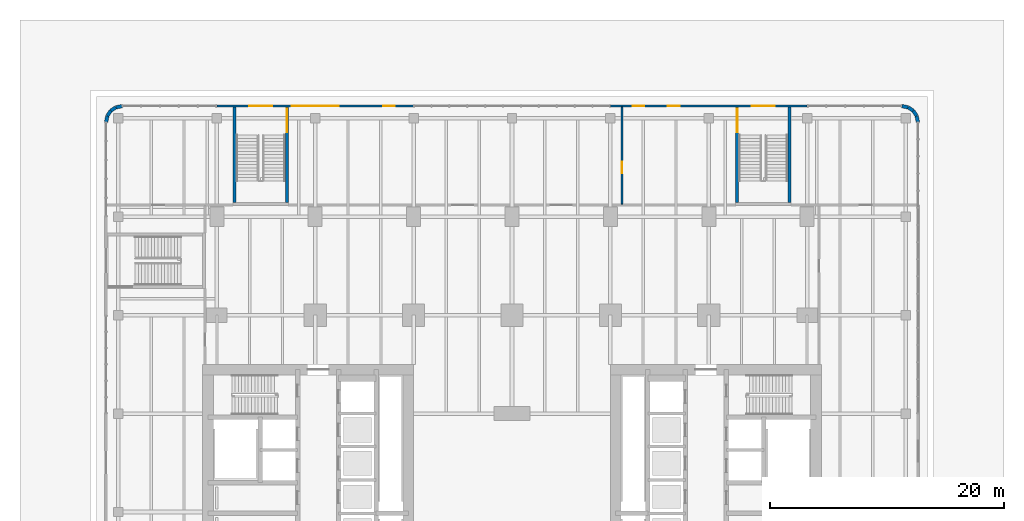
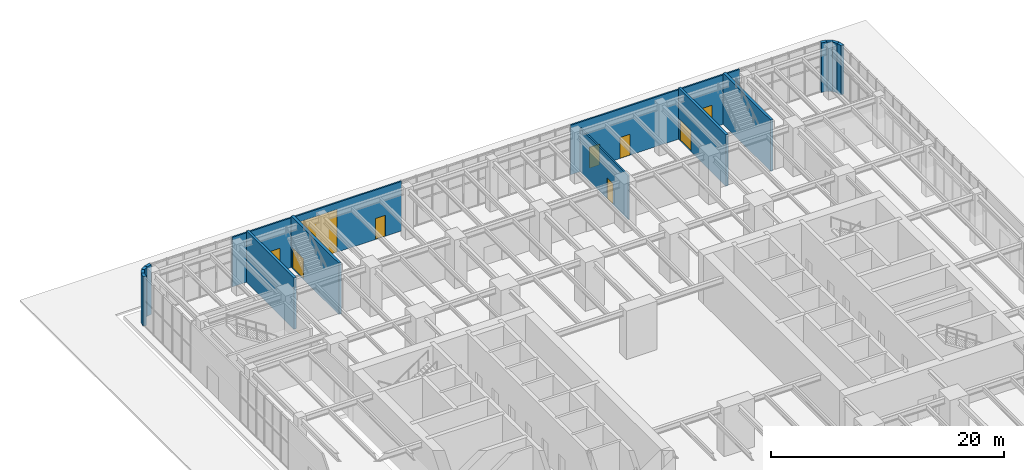
# One storey, part 22 of 31: 15 walls, 9 doors, 9 openings.
"""IFC4 building model written with IfcOpenShell, lengths in metres."""

import ifcopenshell
import ifcopenshell.guid

model = None  # the IFC model being written
_history = None  # IfcOwnerHistory: only IFC2X3 demands one
_inside = {}  # id of a spatial element -> (the spatial element, [elements in it])
_under = {}  # id of a project, library or spatial element -> (it, [spatial elements below it])
_declared = {}  # id of a project -> (the project, [libraries it declares])
_typed = {}  # id of a type object -> (the type object, [elements of that type])
_made_of = {}  # id of a material, layer set ... -> (it, [elements and type objects made of it])


def new_model(schema):
    """Start an empty IFC model of exactly this schema.

    Asked for "IFC4X3", IfcOpenShell would pick the latest addendum, in which some entities
    have other attributes; the version numbers below select the first issue.
    IFC2X3 requires an IfcOwnerHistory on every rooted entity: one is made here for all.
    """
    global model, _history
    if schema == "IFC4X3":
        model = ifcopenshell.file(schema_version=(4, 3, 0, 0))
    else:
        model = ifcopenshell.file(schema=schema)
    _inside.clear()
    _under.clear()
    _declared.clear()
    _typed.clear()
    _made_of.clear()
    _history = None
    if model.schema == "IFC2X3":
        org = make("IfcOrganization", Name="unknown")
        user = make(
            "IfcPersonAndOrganization",
            ThePerson=make("IfcPerson", FamilyName="unknown"),
            TheOrganization=org,
        )
        app = make(
            "IfcApplication",
            ApplicationDeveloper=org,
            Version="unknown",
            ApplicationFullName="unknown",
            ApplicationIdentifier="unknown",
        )
        _history = make(
            "IfcOwnerHistory",
            OwningUser=user,
            OwningApplication=app,
            ChangeAction="ADDED",
            CreationDate=0,
        )
    return model


def make(cls, **values):
    """One entity of the class cls with the attributes given. An attribute that is None is left unset."""
    return model.create_entity(
        cls, **{name: value for name, value in values.items() if value is not None}
    )


def rooted(cls, **values):
    """An entity with a GlobalId (a new one), such as an element, a storey or a relation."""
    return make(cls, GlobalId=ifcopenshell.guid.new(), OwnerHistory=_history, **values)


def si_unit(unit_type, name, prefix=None):
    """IfcSIUnit, for example si_unit("LENGTHUNIT", "METRE", prefix="MILLI")."""
    return make("IfcSIUnit", UnitType=unit_type, Prefix=prefix, Name=name)


def assignment(units):
    """IfcUnitAssignment: the units of a project."""
    return None if units is None else make("IfcUnitAssignment", Units=units)


def point(xyz):
    """IfcCartesianPoint."""
    return None if xyz is None else make("IfcCartesianPoint", Coordinates=xyz)


def direction(xyz):
    """IfcDirection."""
    return None if xyz is None else make("IfcDirection", DirectionRatios=xyz)


def frame(location, z_axis=None, x_axis=None):
    """IfcAxis2Placement3D, a coordinate frame: its origin and axes. An axis left out is left unset."""
    return make(
        "IfcAxis2Placement3D",
        Location=point(location),
        Axis=direction(z_axis),
        RefDirection=direction(x_axis),
    )


def frame_2d(location, x_axis=None):
    """IfcAxis2Placement2D, a coordinate frame in the plane: its origin and x axis."""
    return make(
        "IfcAxis2Placement2D", Location=point(location), RefDirection=direction(x_axis)
    )


def origin():
    """The frame at (0, 0, 0) with its axes left unset."""
    return frame((0.0, 0.0, 0.0))


def place(relative_to, where):
    """IfcLocalPlacement: puts the frame where relative to a parent placement (None: the world)."""
    return make(
        "IfcLocalPlacement", PlacementRelTo=relative_to, RelativePlacement=where
    )


def context(
    kind, dimensions, precision=None, world=None, true_north=None, identifier=None
):
    """IfcGeometricRepresentationContext, for example the 3D "Model" context."""
    return make(
        "IfcGeometricRepresentationContext",
        ContextIdentifier=identifier,
        ContextType=kind,
        CoordinateSpaceDimension=dimensions,
        Precision=precision,
        WorldCoordinateSystem=world,
        TrueNorth=true_north,
    )


def subcontext(parent, identifier, kind, view, scale=None):
    """IfcGeometricRepresentationSubContext, for example "Body" below "Model"."""
    return make(
        "IfcGeometricRepresentationSubContext",
        ContextIdentifier=identifier,
        ContextType=kind,
        ParentContext=parent,
        TargetScale=scale,
        TargetView=view,
    )


def project(units=None, contexts=None):
    """IfcProject with its units and contexts."""
    return rooted(
        "IfcProject",
        Name="project",
        RepresentationContexts=contexts,
        UnitsInContext=assignment(units),
    )


def spatial(cls, under=None, at=None, **own):
    """A site, building, storey or space (cls), placed at a placement, below another one or the project."""
    s = rooted(cls, ObjectPlacement=at, **own)
    if under is not None:
        _under.setdefault(under.id(), (under, []))[1].append(s)
    return s


def profile(cls, at=None, kind="AREA", **sizes):
    """A parametric profile (cls). Its sizes go by their IFC names, for example OverallWidth=200.0."""
    return make(cls, ProfileType=kind, Position=at, **sizes)


def rectangle(**sizes):
    """IfcRectangleProfileDef."""
    return profile("IfcRectangleProfileDef", **sizes)


def extrude(swept, where, along, depth):
    """IfcExtrudedAreaSolid: the profile swept, set in the frame where, extruded along a direction by depth."""
    return make(
        "IfcExtrudedAreaSolid",
        SweptArea=swept,
        Position=where,
        ExtrudedDirection=direction(along),
        Depth=depth,
    )


def shape(context_of_items, identifier, shape_type, items):
    """IfcShapeRepresentation: the items that make up one representation, for example the "Body"."""
    return make(
        "IfcShapeRepresentation",
        ContextOfItems=context_of_items,
        RepresentationIdentifier=identifier,
        RepresentationType=shape_type,
        Items=items,
    )


def material(Name=None, Category=None):
    """IfcMaterial."""
    return make("IfcMaterial", Name=Name, Category=Category)


def layer(
    of_material, thickness, ventilated=None, Name=None, Category=None, Priority=None
):
    """IfcMaterialLayer: one layer of a wall or slab, of a material (None: an air gap)."""
    return make(
        "IfcMaterialLayer",
        Material=of_material,
        LayerThickness=thickness,
        IsVentilated=ventilated,
        Name=Name,
        Category=Category,
        Priority=Priority,
    )


def layer_set(layers, Name=None):
    """IfcMaterialLayerSet."""
    return make("IfcMaterialLayerSet", MaterialLayers=layers, LayerSetName=Name)


def made_of(thing, what):
    """Note that an element or type object is made of a material, layer set ...; save() writes the relation."""
    if what is not None:
        _made_of.setdefault(what.id(), (what, []))[1].append(thing)
    return thing


def type_object(cls, material=None, **own):
    """A type object (cls), such as IfcWallType, which elements share."""
    return made_of(rooted(cls, **own), material)


def element(
    cls,
    number,
    at=None,
    inside=None,
    cuts=None,
    type_object=None,
    material=None,
    context=None,
    identifier="Body",
    shape_type=None,
    held_by="IfcProductDefinitionShape",
    body=None,
    shapes=None,
    **own,
):
    """One element of the class cls, such as IfcWall. Its Tag is "e" and its number.

    at: its placement. inside: the storey or other place that contains it. cuts: it is an
    opening in that element (IfcRelVoidsElement). A single representation is given by context,
    identifier, shape_type and body (its items); several are given by shapes. held_by: the class
    of the entity that holds the representations. save() writes the other relations.
    """
    e = rooted(cls, Tag="e%d" % number, ObjectPlacement=at, **own)
    if body is not None:
        shapes = [shape(context, identifier, shape_type, body)]
    if shapes is not None:
        e.Representation = make(held_by, Representations=shapes)
    if inside is not None:
        _inside.setdefault(inside.id(), (inside, []))[1].append(e)
    if cuts is not None:
        rooted(
            "IfcRelVoidsElement", RelatingBuildingElement=cuts, RelatedOpeningElement=e
        )
    if type_object is not None:
        _typed.setdefault(type_object.id(), (type_object, []))[1].append(e)
    return made_of(e, material)


def fill(opening, filler):
    """IfcRelFillsElement: the door or window that sits in an opening."""
    return rooted(
        "IfcRelFillsElement",
        RelatingOpeningElement=opening,
        RelatedBuildingElement=filler,
    )


def aggregate(whole, parts):
    """IfcRelAggregates: a whole, such as a stair, and the parts it consists of."""
    return rooted("IfcRelAggregates", RelatingObject=whole, RelatedObjects=parts)


def save(model, path):
    """Write the relations noted so far, then the file.

    IfcRelAggregates (storeys below a building ...), IfcRelContainedInSpatialStructure (elements
    in a storey), IfcRelDefinesByType, IfcRelAssociatesMaterial and IfcRelDeclares: one each for
    every whole, place, type object, material and project.
    """
    for whole, parts in _under.values():
        aggregate(whole, parts)
    for where, things in _inside.values():
        rooted(
            "IfcRelContainedInSpatialStructure",
            RelatedElements=things,
            RelatingStructure=where,
        )
    for kind, things in _typed.values():
        rooted("IfcRelDefinesByType", RelatedObjects=things, RelatingType=kind)
    for what, things in _made_of.values():
        rooted("IfcRelAssociatesMaterial", RelatedObjects=things, RelatingMaterial=what)
    for by, libraries in _declared.values():
        rooted("IfcRelDeclares", RelatingContext=by, RelatedDefinitions=libraries)
    model.write(path)


model = new_model("IFC4")

# Units and contexts
model_context = context("Model", 3, precision=1e-05, world=origin(), true_north=direction((0.0, 1.0)))
body_context = subcontext(model_context, "Body", "Model", "MODEL_VIEW")
ifc_project = project(units=[si_unit("LENGTHUNIT", "METRE"), si_unit("AREAUNIT", "SQUARE_METRE"), si_unit("VOLUMEUNIT", "CUBIC_METRE"), si_unit("PLANEANGLEUNIT", "RADIAN"), si_unit("MASSUNIT", "GRAM", prefix="KILO")], contexts=[model_context])

# Site, building, storey
site_placement = place(None, origin())
site = spatial("IfcSite", under=ifc_project, at=site_placement, CompositionType="ELEMENT")
building_placement = place(site_placement, origin())
building = spatial("IfcBuilding", under=site, at=building_placement, Name="Claustro Exchange Tower", CompositionType="ELEMENT")
storey_placement = place(building_placement, origin())
storey = spatial("IfcBuildingStorey", under=building, at=storey_placement, Name="L00", CompositionType="ELEMENT", Elevation=0.0)

# Wall, openings, doors
ifc_material_1 = material(Name="Aluminium frame, clear double glazing", Category="aluminium")
ifc_layer_1 = layer(ifc_material_1, 0.14990234375)
ifc_layer_set_1 = layer_set([ifc_layer_1], Name="Aluminium frame, clear double glazing")
wall_type_1 = type_object("IfcWallType", Name="GS1 150 glazed entrance screen", PredefinedType="SOLIDWALL", material=ifc_layer_set_1)
wall_1_placement = place(storey_placement, frame((0.0, 59.85009765625, 0.0), z_axis=(0.0, 0.0, 1.0), x_axis=(1.0, 0.0, 0.0)))
wall_1 = element("IfcWall", 1, at=wall_1_placement, inside=storey, type_object=wall_type_1, Name="Entrance screen GS1 L00", PredefinedType="SOLIDWALL", context=body_context, shape_type="SweptSolid", body=[
    extrude(rectangle(XDim=16.800048828125, YDim=0.14990234375, at=frame_2d((8.39990234375, 0.0))), origin(), (0.0, 0.0, 1.0), 5.199951171875),
])
opening_1_placement = place(wall_1_placement, frame((2.75, 0.0, 0.0)))
opening_1 = element("IfcOpeningElement", 2, at=opening_1_placement, cuts=wall_1, Name="Opening DE5", PredefinedType="OPENING", context=body_context, shape_type="SweptSolid", body=[
    extrude(rectangle(XDim=2.0, YDim=2.39990234375, at=frame_2d((1.0, 1.199951171875))), frame((0.0, 0.0849609375, 0.0), z_axis=(0.0, -1.0, 0.0), x_axis=(1.0, 0.0, 0.0)), (0.0, 0.0, 1.0), 0.169921875),
])
opening_2_placement = place(wall_1_placement, frame((6.39990234375, 0.0, 0.0)))
opening_2 = element("IfcOpeningElement", 3, at=opening_2_placement, cuts=wall_1, Name="Opening DE3", PredefinedType="OPENING", context=body_context, shape_type="SweptSolid", body=[
    extrude(rectangle(XDim=4.0, YDim=4.5, at=frame_2d((2.0, 2.25))), frame((0.0, 0.0849609375, 0.0), z_axis=(0.0, -1.0, 0.0), x_axis=(1.0, 0.0, 0.0)), (0.0, 0.0, 1.0), 0.169921875),
])
opening_3_placement = place(wall_1_placement, frame((14.199951171875, 0.0, 0.0)))
opening_3 = element("IfcOpeningElement", 4, at=opening_3_placement, cuts=wall_1, Name="Opening DE2", PredefinedType="OPENING", context=body_context, shape_type="SweptSolid", body=[
    extrude(rectangle(XDim=1.0, YDim=2.199951171875, at=frame_2d((0.5, 1.10009765625))), frame((0.0, 0.0849609375, 0.0), z_axis=(0.0, -1.0, 0.0), x_axis=(1.0, 0.0, 0.0)), (0.0, 0.0, 1.0), 0.169921875),
])
ifc_material_2 = material(Name="Steel door, painted", Category="steel")
door_type_1 = type_object("IfcDoorType", Name="DE2 1000 x 2200 external single door", OperationType="SINGLE_SWING_LEFT", PredefinedType="DOOR", material=ifc_material_2)
door_1_placement = place(opening_3_placement, origin())
door_1 = element("IfcDoor", 5, at=door_1_placement, inside=storey, type_object=door_type_1, Name="External door DE2 L00", OperationType="SINGLE_SWING_RIGHT", OverallHeight=2.199951171875, OverallWidth=1.0, PredefinedType="DOOR", context=body_context, shape_type="SweptSolid", body=[
    extrude(rectangle(XDim=1.0, YDim=2.199951171875, at=frame_2d((0.5, 1.10009765625))), frame((0.0, 0.02490234375, 0.0), z_axis=(0.0, -1.0, 0.0), x_axis=(1.0, 0.0, 0.0)), (0.0, 0.0, 1.0), 0.050048828125),
])
fill(opening_3, door_1)
ifc_material_3 = material(Name="Steel roller shutter", Category="steel")
door_type_2 = type_object("IfcDoorType", Name="DE3 4000 x 4500 loading bay shutter", OperationType="ROLLINGUP", PredefinedType="GATE", material=ifc_material_3)
door_2_placement = place(opening_2_placement, origin())
door_2 = element("IfcDoor", 6, at=door_2_placement, inside=storey, type_object=door_type_2, Name="External door DE3 L00", OperationType="ROLLINGUP", OverallHeight=4.5, OverallWidth=4.0, PredefinedType="GATE", context=body_context, shape_type="SweptSolid", body=[
    extrude(rectangle(XDim=4.0, YDim=4.5, at=frame_2d((2.0, 2.25))), frame((0.0, 0.02490234375, 0.0), z_axis=(0.0, -1.0, 0.0), x_axis=(1.0, 0.0, 0.0)), (0.0, 0.0, 1.0), 0.050048828125),
])
fill(opening_2, door_2)
ifc_material_4 = material(Name="Steel door, painted", Category="steel")
door_type_3 = type_object("IfcDoorType", Name="DE5 2000 x 2400 external final exit double door", OperationType="DOUBLE_DOOR_SINGLE_SWING", PredefinedType="DOOR", material=ifc_material_4)
door_3_placement = place(opening_1_placement, origin())
door_3 = element("IfcDoor", 7, at=door_3_placement, inside=storey, type_object=door_type_3, Name="External door DE5 L00", OperationType="DOUBLE_DOOR_SINGLE_SWING", OverallHeight=2.39990234375, OverallWidth=2.0, PredefinedType="DOOR", context=body_context, shape_type="SweptSolid", body=[
    extrude(rectangle(XDim=2.0, YDim=2.39990234375, at=frame_2d((1.0, 1.199951171875))), frame((0.0, 0.02490234375, 0.0), z_axis=(0.0, -1.0, 0.0), x_axis=(1.0, 0.0, 0.0)), (0.0, 0.0, 1.0), 0.050048828125),
])
fill(opening_1, door_3)

wall_2_placement = place(storey_placement, frame((33.60009765625, 59.85009765625, 0.0), z_axis=(0.0, 0.0, 1.0), x_axis=(1.0, 0.0, 0.0)))
wall_2 = element("IfcWall", 8, at=wall_2_placement, inside=storey, type_object=wall_type_1, Name="Entrance screen GS1 L00", PredefinedType="SOLIDWALL", context=body_context, shape_type="SweptSolid", body=[
    extrude(rectangle(XDim=16.7998046875, YDim=0.14990234375, at=frame_2d((8.39990234375, 0.0))), origin(), (0.0, 0.0, 1.0), 5.199951171875),
])
opening_4_placement = place(wall_2_placement, frame((4.89990234375, 0.0, 0.0)))
opening_4 = element("IfcOpeningElement", 9, at=opening_4_placement, cuts=wall_2, Name="Opening DE2", PredefinedType="OPENING", context=body_context, shape_type="SweptSolid", body=[
    extrude(rectangle(XDim=1.0, YDim=2.199951171875, at=frame_2d((0.5, 1.10009765625))), frame((0.0, 0.0849609375, 0.0), z_axis=(0.0, -1.0, 0.0), x_axis=(1.0, 0.0, 0.0)), (0.0, 0.0, 1.0), 0.169921875),
])
opening_5_placement = place(wall_2_placement, frame((1.89990234375, 0.0, 0.0)))
opening_5 = element("IfcOpeningElement", 10, at=opening_5_placement, cuts=wall_2, Name="Opening DE2", PredefinedType="OPENING", context=body_context, shape_type="SweptSolid", body=[
    extrude(rectangle(XDim=1.0, YDim=2.199951171875, at=frame_2d((0.5, 1.10009765625))), frame((0.0, 0.0849609375, 0.0), z_axis=(0.0, -1.0, 0.0), x_axis=(1.0, 0.0, 0.0)), (0.0, 0.0, 1.0), 0.169921875),
])
opening_6_placement = place(wall_2_placement, frame((12.050048828125, 0.0, 0.0)))
opening_6 = element("IfcOpeningElement", 11, at=opening_6_placement, cuts=wall_2, Name="Opening DE5", PredefinedType="OPENING", context=body_context, shape_type="SweptSolid", body=[
    extrude(rectangle(XDim=2.0, YDim=2.39990234375, at=frame_2d((1.0, 1.199951171875))), frame((0.0, 0.0849609375, 0.0), z_axis=(0.0, -1.0, 0.0), x_axis=(1.0, 0.0, 0.0)), (0.0, 0.0, 1.0), 0.169921875),
])
door_4_placement = place(opening_4_placement, origin())
door_4 = element("IfcDoor", 12, at=door_4_placement, inside=storey, type_object=door_type_1, Name="External door DE2 L00", OperationType="SINGLE_SWING_LEFT", OverallHeight=2.199951171875, OverallWidth=1.0, PredefinedType="DOOR", context=body_context, shape_type="SweptSolid", body=[
    extrude(rectangle(XDim=1.0, YDim=2.199951171875, at=frame_2d((0.5, 1.10009765625))), frame((0.0, 0.02490234375, 0.0), z_axis=(0.0, -1.0, 0.0), x_axis=(1.0, 0.0, 0.0)), (0.0, 0.0, 1.0), 0.050048828125),
])
fill(opening_4, door_4)
door_5_placement = place(opening_5_placement, origin())
door_5 = element("IfcDoor", 13, at=door_5_placement, inside=storey, type_object=door_type_1, Name="External door DE2 L00", OperationType="SINGLE_SWING_LEFT", OverallHeight=2.199951171875, OverallWidth=1.0, PredefinedType="DOOR", context=body_context, shape_type="SweptSolid", body=[
    extrude(rectangle(XDim=1.0, YDim=2.199951171875, at=frame_2d((0.5, 1.10009765625))), frame((0.0, 0.02490234375, 0.0), z_axis=(0.0, -1.0, 0.0), x_axis=(1.0, 0.0, 0.0)), (0.0, 0.0, 1.0), 0.050048828125),
])
fill(opening_5, door_5)
door_6_placement = place(opening_6_placement, origin())
door_6 = element("IfcDoor", 14, at=door_6_placement, inside=storey, type_object=door_type_3, Name="External door DE5 L00", OperationType="DOUBLE_DOOR_SINGLE_SWING", OverallHeight=2.39990234375, OverallWidth=2.0, PredefinedType="DOOR", context=body_context, shape_type="SweptSolid", body=[
    extrude(rectangle(XDim=2.0, YDim=2.39990234375, at=frame_2d((1.0, 1.199951171875))), frame((0.0, 0.02490234375, 0.0), z_axis=(0.0, -1.0, 0.0), x_axis=(1.0, 0.0, 0.0)), (0.0, 0.0, 1.0), 0.050048828125),
])
fill(opening_6, door_6)

# Wall, opening, door
ifc_material_5 = material(Name="Gypsum board on steel studs", Category="steel")
ifc_layer_2 = layer(ifc_material_5, 0.14990234375)
ifc_layer_set_2 = layer_set([ifc_layer_2], Name="Gypsum board on steel studs")
wall_type_2 = type_object("IfcWallType", Name="P1 150 plasterboard partition", PredefinedType="PARTITIONING", material=ifc_layer_set_2)
wall_3_placement = place(storey_placement, frame((34.60009765625, 51.47412109375, 0.0), z_axis=(0.0, 0.0, 1.0), x_axis=(0.0, 1.0, 0.0)))
wall_3 = element("IfcWall", 15, at=wall_3_placement, inside=storey, type_object=wall_type_2, Name="Partition P1 L00", PredefinedType="PARTITIONING", context=body_context, shape_type="SweptSolid", body=[
    extrude(rectangle(XDim=8.3017578125, YDim=0.14990234375, at=frame_2d((4.15087890625, 0.0))), origin(), (0.0, 0.0, 1.0), 4.60009765625),
])
opening_7_placement = place(wall_3_placement, frame((2.6259765625, 0.0, 0.0)))
opening_7 = element("IfcOpeningElement", 16, at=opening_7_placement, cuts=wall_3, Name="Opening D1", PredefinedType="OPENING", context=body_context, shape_type="SweptSolid", body=[
    extrude(rectangle(XDim=1.0, YDim=2.199951171875, at=frame_2d((0.5, 1.10009765625))), frame((0.0, 0.0849609375, 0.0), z_axis=(0.0, -1.0, 0.0), x_axis=(1.0, 0.0, 0.0)), (0.0, 0.0, 1.0), 0.169921875),
])
ifc_material_6 = material(Name="Timber door, oak veneer", Category="wood")
door_type_4 = type_object("IfcDoorType", Name="D1 1000 x 2200 single door", OperationType="SINGLE_SWING_LEFT", PredefinedType="DOOR", material=ifc_material_6)
door_7_placement = place(opening_7_placement, frame((1.0, 0.0, 0.0), z_axis=(0.0, 0.0, 1.0), x_axis=(-1.0, 0.0, 0.0)))
door_7 = element("IfcDoor", 17, at=door_7_placement, inside=storey, type_object=door_type_4, Name="Door D1 L00", OperationType="SINGLE_SWING_RIGHT", OverallHeight=2.199951171875, OverallWidth=1.0, PredefinedType="DOOR", context=body_context, shape_type="SweptSolid", body=[
    extrude(rectangle(XDim=1.0, YDim=2.199951171875, at=frame_2d((0.5, 1.10009765625))), frame((0.0, 0.02490234375, 0.0), z_axis=(0.0, -1.0, 0.0), x_axis=(1.0, 0.0, 0.0)), (0.0, 0.0, 1.0), 0.050048828125),
])
fill(opening_7, door_7)

# Walls
ifc_material_7 = material(Name="Concrete HA-40 (C40/50), precast, white cement, acid-etched", Category="concrete")
ifc_layer_3 = layer(ifc_material_7, 0.300048828125)
ifc_layer_set_3 = layer_set([ifc_layer_3], Name="Concrete HA-40 (C40/50), precast, white cement, acid-etched")
wall_type_3 = type_object("IfcWallType", Name="PC1 300 precast concrete pier panel", PredefinedType="SOLIDWALL", material=ifc_layer_set_3)
wall_4_placement = place(storey_placement, frame((-9.449951171875, 58.485107421875, 0.0), z_axis=(0.0, 0.0, 1.0), x_axis=(0.195073962632, 0.980788534345, 0.0)))
element("IfcWall", 18, at=wall_4_placement, inside=storey, type_object=wall_type_3, Name="Precast pier panel PC1 L00", PredefinedType="SOLIDWALL", context=body_context, shape_type="SweptSolid", body=[
    extrude(rectangle(XDim=0.540771484375, YDim=0.300048828125, at=frame_2d((0.2705078125, 0.0))), origin(), (0.0, 0.0, 1.0), 5.199951171875),
])
wall_5_placement = place(storey_placement, frame((-9.344482421875, 59.015380859375, 0.0), z_axis=(0.0, 0.0, 1.0), x_axis=(0.55534295404, 0.831621430339, 0.0)))
element("IfcWall", 19, at=wall_5_placement, inside=storey, type_object=wall_type_3, Name="Precast pier panel PC1 L00", PredefinedType="SOLIDWALL", context=body_context, shape_type="SweptSolid", body=[
    extrude(rectangle(XDim=0.52587890625, YDim=0.300048828125, at=frame_2d((0.262939453125, 0.0))), origin(), (0.0, 0.0, 1.0), 5.199951171875),
])
wall_6_placement = place(storey_placement, frame((-9.052490234375, 59.45263671875, 0.0), z_axis=(0.0, 0.0, 1.0), x_axis=(0.831692711774, 0.555236195849, 0.0)))
element("IfcWall", 20, at=wall_6_placement, inside=storey, type_object=wall_type_3, Name="Precast pier panel PC1 L00", PredefinedType="SOLIDWALL", context=body_context, shape_type="SweptSolid", body=[
    extrude(rectangle(XDim=0.525390625, YDim=0.300048828125, at=frame_2d((0.2626953125, 0.0))), origin(), (0.0, 0.0, 1.0), 5.199951171875),
])
for number, where, z_axis, x_axis, name in (
    (21, (-8.615478515625, 59.744384765625, 0.0), (0.0, 0.0, 1.0), (0.980702050465, 0.1955082817, 0.0), "Precast pier panel PC1 L00"),
    (22, (58.485107421875, 59.85009765625, 0.0), (0.0, 0.0, 1.0), (0.980702050465, -0.1955082817, 0.0), "Precast pier panel PC1 L00"),
):
    element("IfcWall", number, at=place(storey_placement, frame(where, z_axis=z_axis, x_axis=x_axis)), inside=storey, type_object=wall_type_3, Name=name, PredefinedType="SOLIDWALL", context=body_context, shape_type="SweptSolid", body=[
        extrude(rectangle(XDim=0.540771484375, YDim=0.300048828125, at=frame_2d((0.2705078125, 0.0))), origin(), (0.0, 0.0, 1.0), 5.199951171875),
    ])
for number, where, z_axis, x_axis, name in (
    (23, (59.015380859375, 59.744384765625, 0.0), (0.0, 0.0, 1.0), (0.831835869144, -0.555021699401, 0.0), "Precast pier panel PC1 L00"),
    (24, (59.45263671875, 59.45263671875, 0.0), (0.0, 0.0, 1.0), (0.555021699401, -0.831835869144, 0.0), "Precast pier panel PC1 L00"),
):
    element("IfcWall", number, at=place(storey_placement, frame(where, z_axis=z_axis, x_axis=x_axis)), inside=storey, type_object=wall_type_3, Name=name, PredefinedType="SOLIDWALL", context=body_context, shape_type="SweptSolid", body=[
        extrude(rectangle(XDim=0.525634765625, YDim=0.300048828125, at=frame_2d((0.2626953125, 0.0))), origin(), (0.0, 0.0, 1.0), 5.199951171875),
    ])
wall_7_placement = place(storey_placement, frame((59.744384765625, 59.015380859375, 0.0), z_axis=(0.0, 0.0, 1.0), x_axis=(0.1955082817, -0.980702050465, 0.0)))
element("IfcWall", 25, at=wall_7_placement, inside=storey, type_object=wall_type_3, Name="Precast pier panel PC1 L00", PredefinedType="SOLIDWALL", context=body_context, shape_type="SweptSolid", body=[
    extrude(rectangle(XDim=0.540771484375, YDim=0.300048828125, at=frame_2d((0.2705078125, 0.0))), origin(), (0.0, 0.0, 1.0), 5.199951171875),
])
ifc_material_8 = material(Name="Concrete HA-40 (C40/50)", Category="concrete")
ifc_layer_4 = layer(ifc_material_8, 0.25)
ifc_layer_set_4 = layer_set([ifc_layer_4], Name="Concrete HA-40 (C40/50)")
wall_type_4 = type_object("IfcWallType", Name="SW7 250 reinforced concrete stair wall", PredefinedType="SOLIDWALL", material=ifc_layer_set_4)
wall_8_placement = place(storey_placement, frame((1.52490234375, 59.77587890625, 0.0), z_axis=(0.0, 0.0, 1.0), x_axis=(0.0, -1.0, 0.0)))
element("IfcWall", 26, at=wall_8_placement, inside=storey, type_object=wall_type_4, Name="Stair enclosure wall STP3 SW7 L00", PredefinedType="SOLIDWALL", context=body_context, shape_type="SweptSolid", body=[
    extrude(rectangle(XDim=8.17578125, YDim=0.25, at=frame_2d((4.087890625, 0.0))), origin(), (0.0, 0.0, 1.0), 5.39990234375),
])

# Wall, opening, door
wall_9_placement = place(storey_placement, frame((5.97509765625, 59.77587890625, 0.0), z_axis=(0.0, 0.0, 1.0), x_axis=(0.0, -1.0, 0.0)))
wall_9 = element("IfcWall", 27, at=wall_9_placement, inside=storey, type_object=wall_type_4, Name="Stair enclosure wall STP3 SW7 L00", PredefinedType="SOLIDWALL", context=body_context, shape_type="SweptSolid", body=[
    extrude(rectangle(XDim=8.17578125, YDim=0.25, at=frame_2d((4.087890625, 0.0))), origin(), (0.0, 0.0, 1.0), 5.39990234375),
])
opening_8_placement = place(wall_9_placement, frame((0.14990234375, 0.0, 0.0)))
opening_8 = element("IfcOpeningElement", 28, at=opening_8_placement, cuts=wall_9, Name="Opening D11", PredefinedType="OPENING", context=body_context, shape_type="SweptSolid", body=[
    extrude(rectangle(XDim=2.0, YDim=2.199951171875, at=frame_2d((1.0, 1.10009765625))), frame((0.0, 0.135009765625, 0.0), z_axis=(0.0, -1.0, 0.0), x_axis=(1.0, 0.0, 0.0)), (0.0, 0.0, 1.0), 0.27001953125),
])
ifc_material_9 = material(Name="Steel fire door, painted", Category="steel")
door_type_5 = type_object("IfcDoorType", Name="D11 2000 x 2200 fire-rated stair double door", OperationType="DOUBLE_DOOR_SINGLE_SWING", PredefinedType="DOOR", material=ifc_material_9)
door_8_placement = place(opening_8_placement, origin())
door_8 = element("IfcDoor", 29, at=door_8_placement, inside=storey, type_object=door_type_5, Name="Stair door STP3 D11 L00", OperationType="DOUBLE_DOOR_SINGLE_SWING", OverallHeight=2.199951171875, OverallWidth=2.0, PredefinedType="DOOR", context=body_context, shape_type="SweptSolid", body=[
    extrude(rectangle(XDim=2.0, YDim=2.199951171875, at=frame_2d((1.0, 1.10009765625))), frame((0.0, 0.02490234375, 0.0), z_axis=(0.0, -1.0, 0.0), x_axis=(1.0, 0.0, 0.0)), (0.0, 0.0, 1.0), 0.050048828125),
])
fill(opening_8, door_8)

wall_10_placement = place(storey_placement, frame((44.425048828125, 59.77587890625, 0.0), z_axis=(0.0, 0.0, 1.0), x_axis=(0.0, -1.0, 0.0)))
wall_10 = element("IfcWall", 30, at=wall_10_placement, inside=storey, type_object=wall_type_4, Name="Stair enclosure wall STP4 SW7 L00", PredefinedType="SOLIDWALL", context=body_context, shape_type="SweptSolid", body=[
    extrude(rectangle(XDim=8.17578125, YDim=0.25, at=frame_2d((4.087890625, 0.0))), origin(), (0.0, 0.0, 1.0), 5.39990234375),
])
opening_9_placement = place(wall_10_placement, frame((0.14990234375, 0.0, 0.0)))
opening_9 = element("IfcOpeningElement", 31, at=opening_9_placement, cuts=wall_10, Name="Opening D11", PredefinedType="OPENING", context=body_context, shape_type="SweptSolid", body=[
    extrude(rectangle(XDim=2.0, YDim=2.199951171875, at=frame_2d((1.0, 1.10009765625))), frame((0.0, 0.135009765625, 0.0), z_axis=(0.0, -1.0, 0.0), x_axis=(1.0, 0.0, 0.0)), (0.0, 0.0, 1.0), 0.27001953125),
])
door_9_placement = place(opening_9_placement, frame((2.0, 0.0, 0.0), z_axis=(0.0, 0.0, 1.0), x_axis=(-1.0, 0.0, 0.0)))
door_9 = element("IfcDoor", 32, at=door_9_placement, inside=storey, type_object=door_type_5, Name="Stair door STP4 D11 L00", OperationType="DOUBLE_DOOR_SINGLE_SWING", OverallHeight=2.199951171875, OverallWidth=2.0, PredefinedType="DOOR", context=body_context, shape_type="SweptSolid", body=[
    extrude(rectangle(XDim=2.0, YDim=2.199951171875, at=frame_2d((1.0, 1.10009765625))), frame((0.0, 0.02490234375, 0.0), z_axis=(0.0, -1.0, 0.0), x_axis=(1.0, 0.0, 0.0)), (0.0, 0.0, 1.0), 0.050048828125),
])
fill(opening_9, door_9)

# Wall
wall_11_placement = place(storey_placement, frame((48.875, 59.77587890625, 0.0), z_axis=(0.0, 0.0, 1.0), x_axis=(0.0, -1.0, 0.0)))
element("IfcWall", 33, at=wall_11_placement, inside=storey, type_object=wall_type_4, Name="Stair enclosure wall STP4 SW7 L00", PredefinedType="SOLIDWALL", context=body_context, shape_type="SweptSolid", body=[
    extrude(rectangle(XDim=8.17578125, YDim=0.25, at=frame_2d((4.087890625, 0.0))), origin(), (0.0, 0.0, 1.0), 5.39990234375),
])

save(model, "model.ifc")
